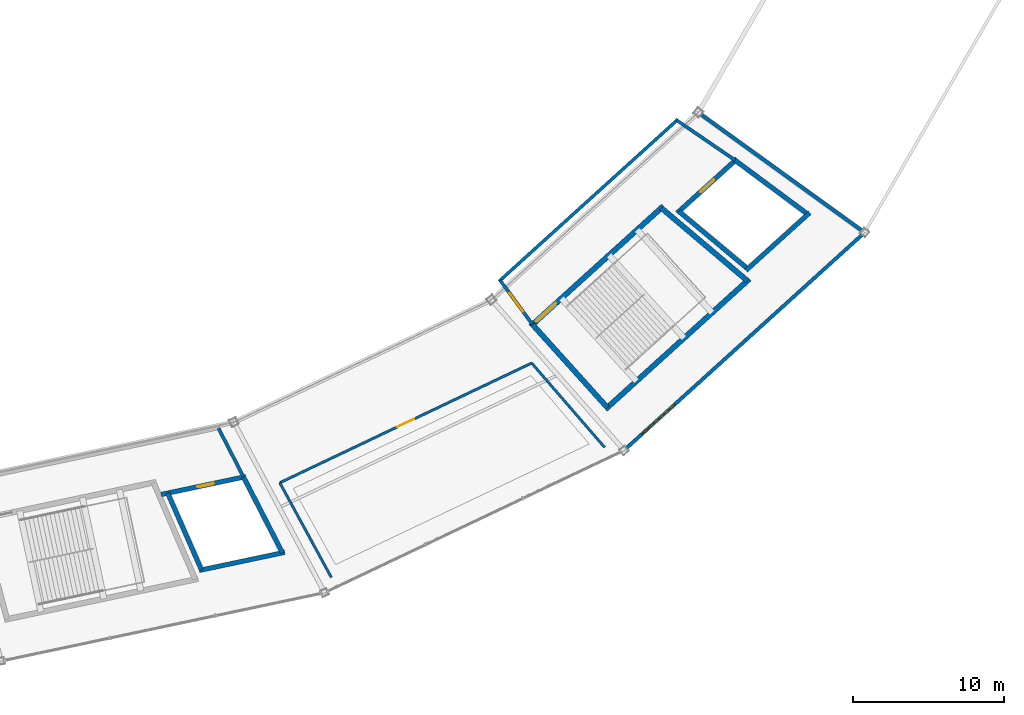
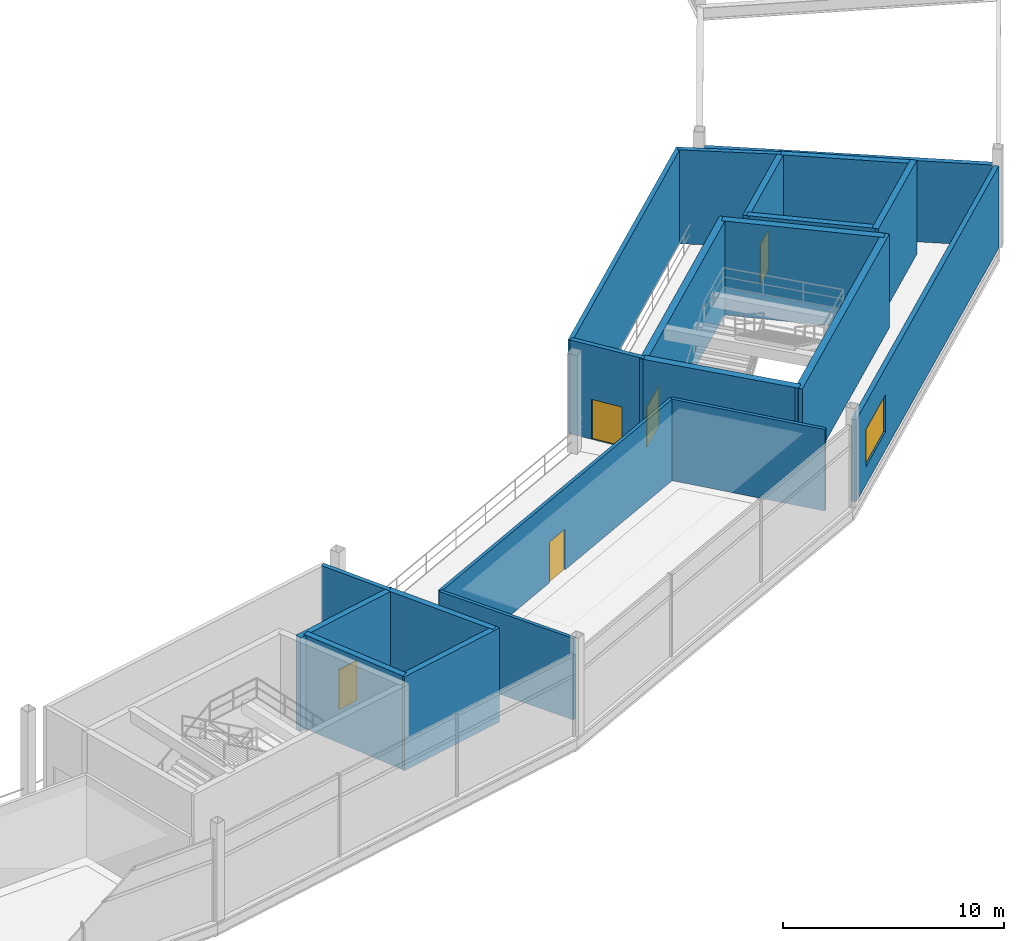
# One storey, part 75 of 103: 21 walls, 5 doors, 1 window, 6 openings.
"""IFC4 building model written with IfcOpenShell, lengths in metres."""

from ifc_helpers import new_model, si_unit, direction, frame, frame_2d, origin, place, context, subcontext, project, spatial, rectangle, extrude, material, layer, layer_set, type_object, element, fill, save


model = new_model("IFC4")

# Units and contexts
model_context = context("Model", 3, precision=1e-05, world=origin(), true_north=direction((0.0, 1.0)))
body_context = subcontext(model_context, "Body", "Model", "MODEL_VIEW")
ifc_project = project(units=[si_unit("LENGTHUNIT", "METRE"), si_unit("AREAUNIT", "SQUARE_METRE"), si_unit("VOLUMEUNIT", "CUBIC_METRE"), si_unit("PLANEANGLEUNIT", "RADIAN"), si_unit("MASSUNIT", "GRAM", prefix="KILO")], contexts=[model_context])

# Site, building, storey
site_placement = place(None, origin())
site = spatial("IfcSite", under=ifc_project, at=site_placement, CompositionType="ELEMENT")
building_placement = place(site_placement, origin())
building = spatial("IfcBuilding", under=site, at=building_placement, Name="Kazemori Nagisa Stadium", CompositionType="ELEMENT")
storey_placement = place(building_placement, frame((0.0, 0.0, 25.840087890625)))
storey = spatial("IfcBuildingStorey", under=building, at=storey_placement, Name="L05", CompositionType="ELEMENT", Elevation=25.840087890625)

# Wall, opening, door
ifc_material_1 = material(Name="Concrete C40/50 (Fc42)", Category="concrete")
ifc_layer_1 = layer(ifc_material_1, 0.35009765625, Name="Concrete C40/50 (Fc42)", Category="concrete")
ifc_layer_set_1 = layer_set([ifc_layer_1], Name="Concrete C40/50 (Fc42)")
wall_type_1 = type_object("IfcWallType", Name="Wall_W-CORE-350", PredefinedType="SHEAR", material=ifc_layer_set_1)
wall_1_placement = place(storey_placement, frame((179.416748046875, 39.139892578125, 0.0), z_axis=(0.0, 0.0, 1.0), x_axis=(0.741348929385, 0.671119784315, 0.0)))
wall_1 = element("IfcWall", 1, at=wall_1_placement, inside=storey, type_object=wall_type_1, Name="Core stair front shear wall ST04 L05", PredefinedType="SHEAR", context=body_context, shape_type="SweptSolid", body=[
    extrude(rectangle(XDim=11.826416015625, YDim=0.35009765625, at=frame_2d((5.9130859375, 0.0))), origin(), (0.0, 0.0, 1.0), 5.179931640625),
])
opening_1_placement = place(wall_1_placement, frame((0.47509765625, 0.0, 0.0)))
opening_1 = element("IfcOpeningElement", 2, at=opening_1_placement, cuts=wall_1, Name="Opening D-ST-1800", PredefinedType="OPENING", context=body_context, shape_type="SweptSolid", body=[
    extrude(rectangle(XDim=1.800048828125, YDim=2.199951171875, at=frame_2d((0.89990234375, 1.10009765625))), frame((0.0, 0.18505859375, 0.0), z_axis=(0.0, -1.0, 0.0), x_axis=(1.0, 0.0, 0.0)), (0.0, 0.0, 1.0), 0.3701171875),
])
ifc_material_2 = material(Name="Galvanised steel sheet", Category="steel")
door_type_1 = type_object("IfcDoorType", Name="Door_D-ST-1800", OperationType="NOTDEFINED", PredefinedType="DOOR", material=ifc_material_2)
door_1_placement = place(opening_1_placement, frame((1.800048828125, 0.0, 0.0), z_axis=(0.0, 0.0, 1.0), x_axis=(-1.0, 0.0, 0.0)))
door_1 = element("IfcDoor", 3, at=door_1_placement, inside=storey, type_object=door_type_1, Name="Exit stair fire door ST04-L05", OperationType="SINGLE_SWING_RIGHT", OverallHeight=2.199951171875, OverallWidth=1.800048828125, PredefinedType="DOOR", context=body_context, shape_type="SweptSolid", body=[
    extrude(rectangle(XDim=1.800048828125, YDim=2.199951171875, at=frame_2d((0.89990234375, 1.10009765625))), frame((0.0, 0.02490234375, 0.0), z_axis=(0.0, -1.0, 0.0), x_axis=(1.0, 0.0, 0.0)), (0.0, 0.0, 1.0), 0.050048828125),
])
fill(opening_1, door_1)

# Walls
wall_2_placement = place(storey_placement, frame((184.361328125, 33.6533203125, 0.0), z_axis=(0.0, 0.0, 1.0), x_axis=(0.741351373721, 0.671117084183, 0.0)))
element("IfcWall", 4, at=wall_2_placement, inside=storey, type_object=wall_type_1, Name="Core stair rear shear wall ST04 L05", PredefinedType="SHEAR", context=body_context, shape_type="SweptSolid", body=[
    extrude(rectangle(XDim=12.830322265625, YDim=0.35009765625, at=frame_2d((6.4150390625, 0.0))), origin(), (0.0, 0.0, 1.0), 5.179931640625),
])
wall_3_placement = place(storey_placement, frame((179.54638671875, 39.25732421875, 0.0), z_axis=(0.0, 0.0, 1.0), x_axis=(0.669463145673, -0.742845270958, 0.0)))
element("IfcWall", 5, at=wall_3_placement, inside=storey, type_object=wall_type_1, Name="Core stair left shear wall ST04 L05", PredefinedType="SHEAR", context=body_context, shape_type="SweptSolid", body=[
    extrude(rectangle(XDim=7.385986328125, YDim=0.35009765625, at=frame_2d((3.69287109375, 0.0))), origin(), (0.0, 0.0, 1.0), 5.179931640625),
])
wall_4_placement = place(storey_placement, frame((188.0546875, 46.95947265625, 0.0), z_axis=(0.0, 0.0, 1.0), x_axis=(0.763422324031, -0.64589964791, 0.0)))
element("IfcWall", 6, at=wall_4_placement, inside=storey, type_object=wall_type_1, Name="Core stair right shear wall ST04 L05", PredefinedType="SHEAR", context=body_context, shape_type="SweptSolid", body=[
    extrude(rectangle(XDim=7.45166015625, YDim=0.35009765625, at=frame_2d((3.725830078125, 0.0))), origin(), (0.0, 0.0, 1.0), 5.179931640625),
])

# Wall, opening, window
ifc_material_3 = material(Name="Steel S355 (SN490B)", Category="steel")
ifc_layer_2 = layer(ifc_material_3, 0.239990234375, Name="Steel S355 (SN490B)", Category="steel")
ifc_layer_set_2 = layer_set([ifc_layer_2], Name="Steel S355 (SN490B)")
wall_type_2 = type_object("IfcWallType", Name="Wall_W-EXT-240", PredefinedType="SOLIDWALL", material=ifc_layer_set_2)
wall_5_placement = place(storey_placement, frame((185.760986328125, 31.088623046875, 0.0), z_axis=(0.0, 0.0, 1.0), x_axis=(0.741349049196, 0.671119651967, 0.0)))
wall_5 = element("IfcWall", 7, at=wall_5_placement, inside=storey, type_object=wall_type_2, Name="Exterior facade wall L05-25", PredefinedType="SOLIDWALL", context=body_context, shape_type="SweptSolid", body=[
    extrude(rectangle(XDim=21.00390625, YDim=0.239990234375, at=frame_2d((10.501953125, 0.0))), origin(), (0.0, 0.0, 1.0), 4.530029296875),
])
opening_2_placement = place(wall_5_placement, frame((1.39990234375, 0.0, 1.0)))
opening_2 = element("IfcOpeningElement", 8, at=opening_2_placement, cuts=wall_5, Name="Opening WIN-L05-2900", PredefinedType="OPENING", context=body_context, shape_type="SweptSolid", body=[
    extrude(rectangle(XDim=2.89990234375, YDim=2.050048828125, at=frame_2d((1.449951171875, 1.02490234375))), frame((0.0, 0.1298828125, 0.0), z_axis=(0.0, -1.0, 0.0), x_axis=(1.0, 0.0, 0.0)), (0.0, 0.0, 1.0), 0.260009765625),
])
ifc_material_4 = material(Name="Low-e laminated double glazing", Category="glass")
window_type = type_object("IfcWindowType", Name="Window_WIN-L05-2900", PartitioningType="SINGLE_PANEL", PredefinedType="WINDOW", material=ifc_material_4)
window_placement = place(opening_2_placement, origin())
window = element("IfcWindow", 9, at=window_placement, inside=storey, type_object=window_type, Name="Core lobby window L05-25", OverallHeight=2.050048828125, OverallWidth=2.89990234375, PartitioningType="SINGLE_PANEL", PredefinedType="WINDOW", context=body_context, shape_type="SweptSolid", body=[
    extrude(rectangle(XDim=2.89990234375, YDim=2.050048828125, at=frame_2d((1.449951171875, 1.02490234375))), frame((0.0, 0.030029296875, 0.0), z_axis=(0.0, -1.0, 0.0), x_axis=(1.0, 0.0, 0.0)), (0.0, 0.0, 1.0), 0.06005859375),
])
fill(opening_2, window)

# Walls
wall_6_placement = place(storey_placement, frame((190.684326171875, 53.136962890625, 0.0), z_axis=(0.0, 0.0, 1.0), x_axis=(0.810798505274, -0.585325365797, 0.0)))
element("IfcWall", 10, at=wall_6_placement, inside=storey, type_object=wall_type_2, Name="Gondola end facade wall L05-B25R", PredefinedType="SOLIDWALL", context=body_context, shape_type="SweptSolid", body=[
    extrude(rectangle(XDim=13.11376953125, YDim=0.239990234375, at=frame_2d((6.556884765625, 0.0))), origin(), (0.0, 0.0, 1.0), 4.47802734375),
])
ifc_material_5 = material(Name="Concrete C36/45 (Fc36)", Category="concrete")
ifc_layer_3 = layer(ifc_material_5, 0.219970703125, Name="Concrete C36/45 (Fc36)", Category="concrete")
ifc_layer_set_3 = layer_set([ifc_layer_3], Name="Concrete C36/45 (Fc36)")
wall_type_3 = type_object("IfcWallType", Name="Wall_W-LOBBY-220", PredefinedType="SOLIDWALL", material=ifc_layer_set_3)
wall_7_placement = place(storey_placement, frame((158.7919921875, 32.406005859375, 0.0), z_axis=(0.0, 0.0, 1.0), x_axis=(0.457349531643, -0.889287021105, 0.0)))
element("IfcWall", 11, at=wall_7_placement, inside=storey, type_object=wall_type_3, Name="Core lobby right wall ST06 L05", PredefinedType="SOLIDWALL", context=body_context, shape_type="SweptSolid", body=[
    extrude(rectangle(XDim=3.631591796875, YDim=0.219970703125, at=frame_2d((1.81591796875, 0.0))), origin(), (0.0, 0.0, 1.0), 5.179931640625),
])
wall_8_placement = place(storey_placement, frame((177.327392578125, 42.10205078125, 0.0), z_axis=(0.0, 0.0, 1.0), x_axis=(0.741351035574, 0.671117457717, 0.0)))
element("IfcWall", 12, at=wall_8_placement, inside=storey, type_object=wall_type_3, Name="Core lobby fire wall ST04 L05", PredefinedType="SOLIDWALL", context=body_context, shape_type="SweptSolid", body=[
    extrude(rectangle(XDim=15.96923828125, YDim=0.219970703125, at=frame_2d((7.984619140625, 0.0))), origin(), (0.0, 0.0, 1.0), 5.179931640625),
])

# Wall, opening, door
wall_9_placement = place(storey_placement, frame((177.408935546875, 42.176025390625, 0.0), z_axis=(0.0, 0.0, 1.0), x_axis=(0.590836915359, -0.806791013491, 0.0)))
wall_9 = element("IfcWall", 13, at=wall_9_placement, inside=storey, type_object=wall_type_3, Name="Core lobby left wall ST04 L05", PredefinedType="SOLIDWALL", context=body_context, shape_type="SweptSolid", body=[
    extrude(rectangle(XDim=3.61767578125, YDim=0.219970703125, at=frame_2d((1.808837890625, 0.0))), origin(), (0.0, 0.0, 1.0), 5.179931640625),
])
opening_3_placement = place(wall_9_placement, frame((1.05908203125, 0.0, 0.0)))
opening_3 = element("IfcOpeningElement", 14, at=opening_3_placement, cuts=wall_9, Name="Opening D-FFL-1500", PredefinedType="OPENING", context=body_context, shape_type="SweptSolid", body=[
    extrude(rectangle(XDim=1.5, YDim=2.199951171875, at=frame_2d((0.75, 1.10009765625))), frame((0.0, 0.119873046875, 0.0), z_axis=(0.0, -1.0, 0.0), x_axis=(1.0, 0.0, 0.0)), (0.0, 0.0, 1.0), 0.239990234375),
])
door_type_2 = type_object("IfcDoorType", Name="Door_D-FFL-1500", OperationType="NOTDEFINED", PredefinedType="DOOR", material=ifc_material_2)
door_2_placement = place(opening_3_placement, frame((1.5, 0.0, 0.0), z_axis=(0.0, 0.0, 1.0), x_axis=(-1.0, 0.0, 0.0)))
door_2 = element("IfcDoor", 15, at=door_2_placement, inside=storey, type_object=door_type_2, Name="Protected lobby fire door ST04-L05", OperationType="DOUBLE_DOOR_SINGLE_SWING", OverallHeight=2.199951171875, OverallWidth=1.5, PredefinedType="DOOR", context=body_context, shape_type="SweptSolid", body=[
    extrude(rectangle(XDim=1.5, YDim=2.199951171875, at=frame_2d((0.75, 1.10009765625))), frame((0.0, 0.02490234375, 0.0), z_axis=(0.0, -1.0, 0.0), x_axis=(1.0, 0.0, 0.0)), (0.0, 0.0, 1.0), 0.050048828125),
])
fill(opening_3, door_2)

# Wall
wall_10_placement = place(storey_placement, frame((189.084716796875, 52.74560546875, 0.0), z_axis=(0.0, 0.0, 1.0), x_axis=(0.825385410642, -0.564569680287, 0.0)))
element("IfcWall", 16, at=wall_10_placement, inside=storey, type_object=wall_type_3, Name="Core lobby right wall ST04 L05", PredefinedType="SOLIDWALL", context=body_context, shape_type="SweptSolid", body=[
    extrude(rectangle(XDim=4.673828125, YDim=0.219970703125, at=frame_2d((2.3369140625, 0.0))), origin(), (0.0, 0.0, 1.0), 5.179931640625),
])

# Wall, opening, door
ifc_material_6 = material(Name="Gypsum plasterboard", Category="gypsum")
ifc_layer_4 = layer(ifc_material_6, 0.1650390625, Name="Gypsum plasterboard", Category="gypsum")
ifc_layer_set_4 = layer_set([ifc_layer_4], Name="Gypsum plasterboard")
wall_type_4 = type_object("IfcWallType", Name="Wall_W-PART-165", PredefinedType="PARTITIONING", material=ifc_layer_set_4)
wall_11_placement = place(storey_placement, frame((162.84716796875, 28.799560546875, 0.0), z_axis=(0.0, 0.0, 1.0), x_axis=(0.90321677741, 0.429184637429, 0.0)))
wall_11 = element("IfcWall", 17, at=wall_11_placement, inside=storey, type_object=wall_type_4, Name="Room corridor partition L05-B24", PredefinedType="PARTITIONING", context=body_context, shape_type="SweptSolid", body=[
    extrude(rectangle(XDim=18.42724609375, YDim=0.1650390625, at=frame_2d((9.213623046875, 0.0))), origin(), (0.0, 0.0, 1.0), 4.5),
])
opening_4_placement = place(wall_11_placement, frame((8.589111328125, 0.0, 0.0)))
opening_4 = element("IfcOpeningElement", 18, at=opening_4_placement, cuts=wall_11, Name="Opening D-BOX-1250", PredefinedType="OPENING", context=body_context, shape_type="SweptSolid", body=[
    extrude(rectangle(XDim=1.25, YDim=2.25, at=frame_2d((0.625, 1.125))), frame((0.0, 0.092529296875, 0.0), z_axis=(0.0, -1.0, 0.0), x_axis=(1.0, 0.0, 0.0)), (0.0, 0.0, 1.0), 0.18505859375),
])
ifc_material_7 = material(Name="Anodised aluminium 6063-T5", Category="aluminium")
door_type_3 = type_object("IfcDoorType", Name="Door_D-BOX-1250", OperationType="NOTDEFINED", PredefinedType="DOOR", material=ifc_material_7)
door_3_placement = place(opening_4_placement, origin())
door_3 = element("IfcDoor", 19, at=door_3_placement, inside=storey, type_object=door_type_3, Name="Room entrance door D-BOX-1250 L05-B24", OperationType="SINGLE_SWING_RIGHT", OverallHeight=2.25, OverallWidth=1.25, PredefinedType="DOOR", context=body_context, shape_type="SweptSolid", body=[
    extrude(rectangle(XDim=1.25, YDim=2.25, at=frame_2d((0.625, 1.125))), frame((0.0, 0.02490234375, 0.0), z_axis=(0.0, -1.0, 0.0), x_axis=(1.0, 0.0, 0.0)), (0.0, 0.0, 1.0), 0.050048828125),
])
fill(opening_4, door_3)

# Walls
wall_12_placement = place(storey_placement, frame((162.84716796875, 28.799560546875, 0.0), z_axis=(0.0, 0.0, 1.0), x_axis=(0.47812325427, -0.878292749444, 0.0)))
element("IfcWall", 20, at=wall_12_placement, inside=storey, type_object=wall_type_4, Name="Room radial partition L05-B24-L", PredefinedType="PARTITIONING", context=body_context, shape_type="SweptSolid", body=[
    extrude(rectangle(XDim=7.112548828125, YDim=0.1650390625, at=frame_2d((3.55615234375, 0.0))), origin(), (0.0, 0.0, 1.0), 4.5),
])
wall_13_placement = place(storey_placement, frame((179.490966796875, 36.708251953125, 0.0), z_axis=(0.0, 0.0, 1.0), x_axis=(0.654288201841, -0.7562452968, 0.0)))
element("IfcWall", 21, at=wall_13_placement, inside=storey, type_object=wall_type_4, Name="Room radial partition L05-B24-R", PredefinedType="PARTITIONING", context=body_context, shape_type="SweptSolid", body=[
    extrude(rectangle(XDim=7.367919921875, YDim=0.1650390625, at=frame_2d((3.68408203125, 0.0))), origin(), (0.0, 0.0, 1.0), 4.5),
])

# Wall, opening, door
ifc_layer_5 = layer(ifc_material_1, 0.300048828125, Name="Concrete C40/50 (Fc42)", Category="concrete")
ifc_layer_set_5 = layer_set([ifc_layer_5], Name="Concrete C40/50 (Fc42)")
wall_type_5 = type_object("IfcWallType", Name="Wall_W-SHAFT-300", PredefinedType="SHEAR", material=ifc_layer_set_5)
wall_14_placement = place(storey_placement, frame((154.999267578125, 28.022705078125, 0.0), z_axis=(0.0, 0.0, 1.0), x_axis=(0.978345218992, 0.206979787601, 0.0)))
wall_14 = element("IfcWall", 22, at=wall_14_placement, inside=storey, type_object=wall_type_5, Name="Lift shaft front wall LP2 L05", PredefinedType="SHEAR", context=body_context, shape_type="SweptSolid", body=[
    extrude(rectangle(XDim=5.724365234375, YDim=0.300048828125, at=frame_2d((2.8623046875, 0.0))), origin(), (0.0, 0.0, 1.0), 5.179931640625),
])
opening_5_placement = place(wall_14_placement, frame((2.4619140625, 0.0, 0.0)))
opening_5 = element("IfcOpeningElement", 23, at=opening_5_placement, cuts=wall_14, Name="Opening LD-PAX", PredefinedType="OPENING", context=body_context, shape_type="SweptSolid", body=[
    extrude(rectangle(XDim=1.10009765625, YDim=2.199951171875, at=frame_2d((0.550048828125, 1.10009765625))), frame((0.0, 0.159912109375, 0.0), z_axis=(0.0, -1.0, 0.0), x_axis=(1.0, 0.0, 0.0)), (0.0, 0.0, 1.0), 0.320068359375),
])
ifc_material_8 = material(Name="Stainless steel SUS304", Category="steel")
door_type_4 = type_object("IfcDoorType", Name="Door_LD-PAX", OperationType="SLIDING_TO_RIGHT", PredefinedType="DOOR", material=ifc_material_8)
door_4_placement = place(opening_5_placement, origin())
door_4 = element("IfcDoor", 24, at=door_4_placement, inside=storey, type_object=door_type_4, Name="Lift landing door LP2-L05", OperationType="SLIDING_TO_RIGHT", OverallHeight=2.199951171875, OverallWidth=1.10009765625, PredefinedType="DOOR", context=body_context, shape_type="SweptSolid", body=[
    extrude(rectangle(XDim=1.10009765625, YDim=2.199951171875, at=frame_2d((0.550048828125, 1.10009765625))), frame((0.0, 0.02490234375, 0.0), z_axis=(0.0, -1.0, 0.0), x_axis=(1.0, 0.0, 0.0)), (0.0, 0.0, 1.0), 0.050048828125),
])
fill(opening_5, door_4)

# Walls
wall_15_placement = place(storey_placement, frame((157.522705078125, 23.00634765625, 0.0), z_axis=(0.0, 0.0, 1.0), x_axis=(0.978347069901, 0.206971038591, 0.0)))
element("IfcWall", 25, at=wall_15_placement, inside=storey, type_object=wall_type_5, Name="Lift shaft B wall LP2 L05", PredefinedType="SHEAR", context=body_context, shape_type="SweptSolid", body=[
    extrude(rectangle(XDim=5.7763671875, YDim=0.300048828125, at=frame_2d((2.88818359375, 0.0))), origin(), (0.0, 0.0, 1.0), 5.179931640625),
])
wall_16_placement = place(storey_placement, frame((155.439697265625, 28.115966796875, 0.0), z_axis=(0.0, 0.0, 1.0), x_axis=(0.402005363577, -0.915637312289, 0.0)))
element("IfcWall", 26, at=wall_16_placement, inside=storey, type_object=wall_type_5, Name="Lift shaft L wall LP2 L05", PredefinedType="SHEAR", context=body_context, shape_type="SweptSolid", body=[
    extrude(rectangle(XDim=5.546630859375, YDim=0.300048828125, at=frame_2d((2.7734375, 0.0))), origin(), (0.0, 0.0, 1.0), 5.179931640625),
])
wall_17_placement = place(storey_placement, frame((160.452880859375, 29.176513671875, 0.0), z_axis=(0.0, 0.0, 1.0), x_axis=(0.457368592987, -0.889277217829, 0.0)))
element("IfcWall", 27, at=wall_17_placement, inside=storey, type_object=wall_type_5, Name="Lift shaft R wall LP2 L05", PredefinedType="SHEAR", context=body_context, shape_type="SweptSolid", body=[
    extrude(rectangle(XDim=5.62890625, YDim=0.300048828125, at=frame_2d((2.814453125, 0.0))), origin(), (0.0, 0.0, 1.0), 5.179931640625),
])

# Wall, opening, door
wall_18_placement = place(storey_placement, frame((189.10302734375, 46.631103515625, 0.0), z_axis=(0.0, 0.0, 1.0), x_axis=(0.741350155641, 0.671118429736, 0.0)))
wall_18 = element("IfcWall", 28, at=wall_18_placement, inside=storey, type_object=wall_type_5, Name="Lift shaft front wall FL4 L05", PredefinedType="SHEAR", context=body_context, shape_type="SweptSolid", body=[
    extrude(rectangle(XDim=5.3291015625, YDim=0.300048828125, at=frame_2d((2.66455078125, 0.0))), origin(), (0.0, 0.0, 1.0), 5.179931640625),
])
opening_6_placement = place(wall_18_placement, frame((2.06494140625, 0.0, 0.0)))
opening_6 = element("IfcOpeningElement", 29, at=opening_6_placement, cuts=wall_18, Name="Opening LD-FF", PredefinedType="OPENING", context=body_context, shape_type="SweptSolid", body=[
    extrude(rectangle(XDim=1.199951171875, YDim=2.199951171875, at=frame_2d((0.60009765625, 1.10009765625))), frame((0.0, 0.159912109375, 0.0), z_axis=(0.0, -1.0, 0.0), x_axis=(1.0, 0.0, 0.0)), (0.0, 0.0, 1.0), 0.320068359375),
])
door_type_5 = type_object("IfcDoorType", Name="Door_LD-FF", OperationType="SLIDING_TO_LEFT", PredefinedType="DOOR", material=ifc_material_8)
door_5_placement = place(opening_6_placement, origin())
door_5 = element("IfcDoor", 30, at=door_5_placement, inside=storey, type_object=door_type_5, Name="Lift landing door FL4-L05", OperationType="SLIDING_TO_LEFT", OverallHeight=2.199951171875, OverallWidth=1.199951171875, PredefinedType="DOOR", context=body_context, shape_type="SweptSolid", body=[
    extrude(rectangle(XDim=1.199951171875, YDim=2.199951171875, at=frame_2d((0.60009765625, 1.10009765625))), frame((0.0, 0.02490234375, 0.0), z_axis=(0.0, -1.0, 0.0), x_axis=(1.0, 0.0, 0.0)), (0.0, 0.0, 1.0), 0.050048828125),
])
fill(opening_6, door_5)

# Walls
wall_19_placement = place(storey_placement, frame((193.654296875, 42.832275390625, 0.0), z_axis=(0.0, 0.0, 1.0), x_axis=(0.74134208775, 0.671127341815, 0.0)))
element("IfcWall", 31, at=wall_19_placement, inside=storey, type_object=wall_type_5, Name="Lift shaft B wall FL4 L05", PredefinedType="SHEAR", context=body_context, shape_type="SweptSolid", body=[
    extrude(rectangle(XDim=5.674560546875, YDim=0.300048828125, at=frame_2d((2.83740234375, 0.0))), origin(), (0.0, 0.0, 1.0), 5.179931640625),
])
wall_20_placement = place(storey_placement, frame((189.214111328125, 46.73193359375, 0.0), z_axis=(0.0, 0.0, 1.0), x_axis=(0.767711354146, -0.640795815151, 0.0)))
element("IfcWall", 32, at=wall_20_placement, inside=storey, type_object=wall_type_5, Name="Lift shaft L wall FL4 L05", PredefinedType="SHEAR", context=body_context, shape_type="SweptSolid", body=[
    extrude(rectangle(XDim=5.9287109375, YDim=0.300048828125, at=frame_2d((2.96435546875, 0.0))), origin(), (0.0, 0.0, 1.0), 5.179931640625),
])
wall_21_placement = place(storey_placement, frame((192.9423828125, 50.10693359375, 0.0), z_axis=(0.0, 0.0, 1.0), x_axis=(0.803101805449, -0.59584183311, 0.0)))
element("IfcWall", 33, at=wall_21_placement, inside=storey, type_object=wall_type_5, Name="Lift shaft R wall FL4 L05", PredefinedType="SHEAR", context=body_context, shape_type="SweptSolid", body=[
    extrude(rectangle(XDim=5.986328125, YDim=0.300048828125, at=frame_2d((2.9931640625, 0.0))), origin(), (0.0, 0.0, 1.0), 5.179931640625),
])

save(model, "model.ifc")
